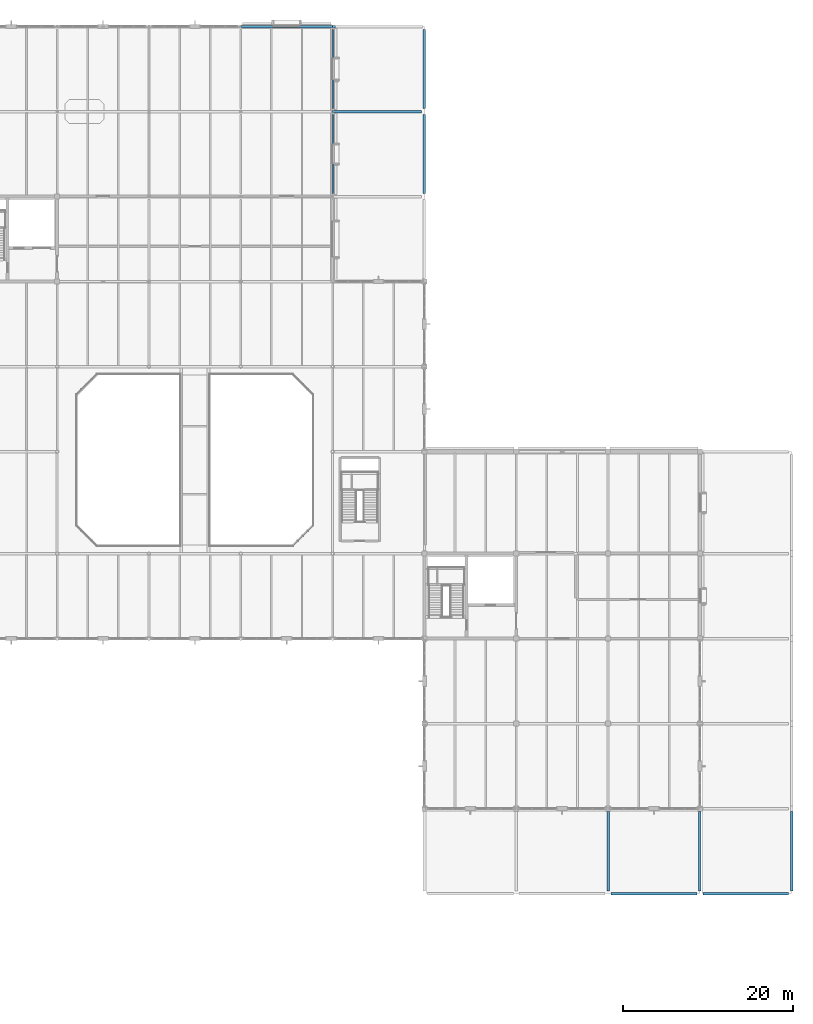
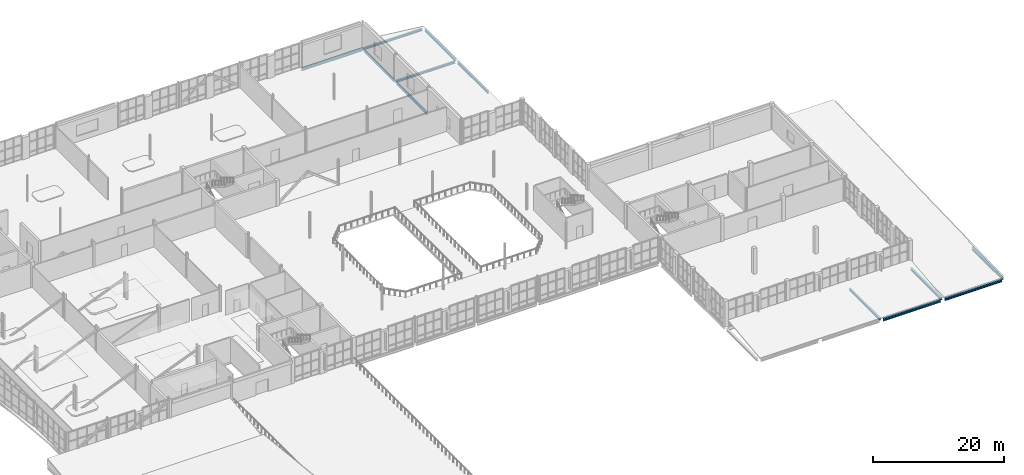
# One storey, part 57 of 100: 12 beams.
"""IFC4 building model written with IfcOpenShell, lengths in metres."""

import ifcopenshell
import ifcopenshell.guid

model = None  # the IFC model being written
_history = None  # IfcOwnerHistory: only IFC2X3 demands one
_inside = {}  # id of a spatial element -> (the spatial element, [elements in it])
_under = {}  # id of a project, library or spatial element -> (it, [spatial elements below it])
_declared = {}  # id of a project -> (the project, [libraries it declares])
_typed = {}  # id of a type object -> (the type object, [elements of that type])
_made_of = {}  # id of a material, layer set ... -> (it, [elements and type objects made of it])


def new_model(schema):
    """Start an empty IFC model of exactly this schema.

    Asked for "IFC4X3", IfcOpenShell would pick the latest addendum, in which some entities
    have other attributes; the version numbers below select the first issue.
    IFC2X3 requires an IfcOwnerHistory on every rooted entity: one is made here for all.
    """
    global model, _history
    if schema == "IFC4X3":
        model = ifcopenshell.file(schema_version=(4, 3, 0, 0))
    else:
        model = ifcopenshell.file(schema=schema)
    _inside.clear()
    _under.clear()
    _declared.clear()
    _typed.clear()
    _made_of.clear()
    _history = None
    if model.schema == "IFC2X3":
        org = make("IfcOrganization", Name="unknown")
        user = make(
            "IfcPersonAndOrganization",
            ThePerson=make("IfcPerson", FamilyName="unknown"),
            TheOrganization=org,
        )
        app = make(
            "IfcApplication",
            ApplicationDeveloper=org,
            Version="unknown",
            ApplicationFullName="unknown",
            ApplicationIdentifier="unknown",
        )
        _history = make(
            "IfcOwnerHistory",
            OwningUser=user,
            OwningApplication=app,
            ChangeAction="ADDED",
            CreationDate=0,
        )
    return model


def make(cls, **values):
    """One entity of the class cls with the attributes given. An attribute that is None is left unset."""
    return model.create_entity(
        cls, **{name: value for name, value in values.items() if value is not None}
    )


def rooted(cls, **values):
    """An entity with a GlobalId (a new one), such as an element, a storey or a relation."""
    return make(cls, GlobalId=ifcopenshell.guid.new(), OwnerHistory=_history, **values)


def si_unit(unit_type, name, prefix=None):
    """IfcSIUnit, for example si_unit("LENGTHUNIT", "METRE", prefix="MILLI")."""
    return make("IfcSIUnit", UnitType=unit_type, Prefix=prefix, Name=name)


def assignment(units):
    """IfcUnitAssignment: the units of a project."""
    return None if units is None else make("IfcUnitAssignment", Units=units)


def point(xyz):
    """IfcCartesianPoint."""
    return None if xyz is None else make("IfcCartesianPoint", Coordinates=xyz)


def direction(xyz):
    """IfcDirection."""
    return None if xyz is None else make("IfcDirection", DirectionRatios=xyz)


def frame(location, z_axis=None, x_axis=None):
    """IfcAxis2Placement3D, a coordinate frame: its origin and axes. An axis left out is left unset."""
    return make(
        "IfcAxis2Placement3D",
        Location=point(location),
        Axis=direction(z_axis),
        RefDirection=direction(x_axis),
    )


def frame_2d(location, x_axis=None):
    """IfcAxis2Placement2D, a coordinate frame in the plane: its origin and x axis."""
    return make(
        "IfcAxis2Placement2D", Location=point(location), RefDirection=direction(x_axis)
    )


def origin():
    """The frame at (0, 0, 0) with its axes left unset."""
    return frame((0.0, 0.0, 0.0))


def origin_2d():
    """The frame at (0, 0) in the plane with its x axis left unset."""
    return frame_2d((0.0, 0.0))


def place(relative_to, where):
    """IfcLocalPlacement: puts the frame where relative to a parent placement (None: the world)."""
    return make(
        "IfcLocalPlacement", PlacementRelTo=relative_to, RelativePlacement=where
    )


def context(
    kind, dimensions, precision=None, world=None, true_north=None, identifier=None
):
    """IfcGeometricRepresentationContext, for example the 3D "Model" context."""
    return make(
        "IfcGeometricRepresentationContext",
        ContextIdentifier=identifier,
        ContextType=kind,
        CoordinateSpaceDimension=dimensions,
        Precision=precision,
        WorldCoordinateSystem=world,
        TrueNorth=true_north,
    )


def subcontext(parent, identifier, kind, view, scale=None):
    """IfcGeometricRepresentationSubContext, for example "Body" below "Model"."""
    return make(
        "IfcGeometricRepresentationSubContext",
        ContextIdentifier=identifier,
        ContextType=kind,
        ParentContext=parent,
        TargetScale=scale,
        TargetView=view,
    )


def project(units=None, contexts=None):
    """IfcProject with its units and contexts."""
    return rooted(
        "IfcProject",
        Name="project",
        RepresentationContexts=contexts,
        UnitsInContext=assignment(units),
    )


def spatial(cls, under=None, at=None, **own):
    """A site, building, storey or space (cls), placed at a placement, below another one or the project."""
    s = rooted(cls, ObjectPlacement=at, **own)
    if under is not None:
        _under.setdefault(under.id(), (under, []))[1].append(s)
    return s


def profile(cls, at=None, kind="AREA", **sizes):
    """A parametric profile (cls). Its sizes go by their IFC names, for example OverallWidth=200.0."""
    return make(cls, ProfileType=kind, Position=at, **sizes)


def i_section(**sizes):
    """IfcIShapeProfileDef."""
    return profile("IfcIShapeProfileDef", **sizes)


def extrude(swept, where, along, depth):
    """IfcExtrudedAreaSolid: the profile swept, set in the frame where, extruded along a direction by depth."""
    return make(
        "IfcExtrudedAreaSolid",
        SweptArea=swept,
        Position=where,
        ExtrudedDirection=direction(along),
        Depth=depth,
    )


def shape(context_of_items, identifier, shape_type, items):
    """IfcShapeRepresentation: the items that make up one representation, for example the "Body"."""
    return make(
        "IfcShapeRepresentation",
        ContextOfItems=context_of_items,
        RepresentationIdentifier=identifier,
        RepresentationType=shape_type,
        Items=items,
    )


def material(Name=None, Category=None):
    """IfcMaterial."""
    return make("IfcMaterial", Name=Name, Category=Category)


def material_profile(
    of_material, cross_section, Name=None, Category=None, Priority=None
):
    """IfcMaterialProfile: a cross section and its material."""
    return make(
        "IfcMaterialProfile",
        Name=Name,
        Material=of_material,
        Profile=cross_section,
        Priority=Priority,
        Category=Category,
    )


def profile_set(profiles, Name=None, composite=None):
    """IfcMaterialProfileSet."""
    return make(
        "IfcMaterialProfileSet",
        Name=Name,
        MaterialProfiles=profiles,
        CompositeProfile=composite,
    )


def made_of(thing, what):
    """Note that an element or type object is made of a material, layer set ...; save() writes the relation."""
    if what is not None:
        _made_of.setdefault(what.id(), (what, []))[1].append(thing)
    return thing


def type_object(cls, material=None, **own):
    """A type object (cls), such as IfcWallType, which elements share."""
    return made_of(rooted(cls, **own), material)


def element(
    cls,
    number,
    at=None,
    inside=None,
    cuts=None,
    type_object=None,
    material=None,
    context=None,
    identifier="Body",
    shape_type=None,
    held_by="IfcProductDefinitionShape",
    body=None,
    shapes=None,
    **own,
):
    """One element of the class cls, such as IfcWall. Its Tag is "e" and its number.

    at: its placement. inside: the storey or other place that contains it. cuts: it is an
    opening in that element (IfcRelVoidsElement). A single representation is given by context,
    identifier, shape_type and body (its items); several are given by shapes. held_by: the class
    of the entity that holds the representations. save() writes the other relations.
    """
    e = rooted(cls, Tag="e%d" % number, ObjectPlacement=at, **own)
    if body is not None:
        shapes = [shape(context, identifier, shape_type, body)]
    if shapes is not None:
        e.Representation = make(held_by, Representations=shapes)
    if inside is not None:
        _inside.setdefault(inside.id(), (inside, []))[1].append(e)
    if cuts is not None:
        rooted(
            "IfcRelVoidsElement", RelatingBuildingElement=cuts, RelatedOpeningElement=e
        )
    if type_object is not None:
        _typed.setdefault(type_object.id(), (type_object, []))[1].append(e)
    return made_of(e, material)


def aggregate(whole, parts):
    """IfcRelAggregates: a whole, such as a stair, and the parts it consists of."""
    return rooted("IfcRelAggregates", RelatingObject=whole, RelatedObjects=parts)


def save(model, path):
    """Write the relations noted so far, then the file.

    IfcRelAggregates (storeys below a building ...), IfcRelContainedInSpatialStructure (elements
    in a storey), IfcRelDefinesByType, IfcRelAssociatesMaterial and IfcRelDeclares: one each for
    every whole, place, type object, material and project.
    """
    for whole, parts in _under.values():
        aggregate(whole, parts)
    for where, things in _inside.values():
        rooted(
            "IfcRelContainedInSpatialStructure",
            RelatedElements=things,
            RelatingStructure=where,
        )
    for kind, things in _typed.values():
        rooted("IfcRelDefinesByType", RelatedObjects=things, RelatingType=kind)
    for what, things in _made_of.values():
        rooted("IfcRelAssociatesMaterial", RelatedObjects=things, RelatingMaterial=what)
    for by, libraries in _declared.values():
        rooted("IfcRelDeclares", RelatingContext=by, RelatedDefinitions=libraries)
    model.write(path)


model = new_model("IFC4")

# Units and contexts
model_context = context("Model", 3, precision=1e-05, world=origin(), true_north=direction((0.0, 1.0)))
body_context = subcontext(model_context, "Body", "Model", "MODEL_VIEW")
ifc_project = project(units=[si_unit("LENGTHUNIT", "METRE"), si_unit("AREAUNIT", "SQUARE_METRE"), si_unit("VOLUMEUNIT", "CUBIC_METRE"), si_unit("PLANEANGLEUNIT", "RADIAN"), si_unit("MASSUNIT", "GRAM", prefix="KILO")], contexts=[model_context])

# Site, building, storey
site_placement = place(None, origin())
site = spatial("IfcSite", under=ifc_project, at=site_placement, CompositionType="ELEMENT")
building_placement = place(site_placement, origin())
building = spatial("IfcBuilding", under=site, at=building_placement, Name="Tasgan Crest Museum", CompositionType="ELEMENT")
storey_placement = place(building_placement, frame((0.0, 0.0, 9.60009765625)))
storey = spatial("IfcBuildingStorey", under=building, at=storey_placement, Name="L02", CompositionType="ELEMENT", Elevation=9.60009765625)

# Beams
ifc_material_1 = material(Name="Steel S355J2", Category="steel")
ifc_material_profile_1 = material_profile(ifc_material_1, i_section(OverallWidth=0.300048828125, OverallDepth=0.389892578125, WebThickness=0.010986328125, FlangeThickness=0.01904296875, FilletRadius=0.027099609375, at=origin_2d()), Name="HEA 400")
ifc_profile_set_1 = profile_set([ifc_material_profile_1], Name="Steel S355J2")
beam_type_1 = type_object("IfcBeamType", Name="BM-G-HEA400", PredefinedType="BEAM", material=ifc_profile_set_1)
beam_1_placement = place(storey_placement, frame((140.74609375, 10.0, -0.47509765625), z_axis=(1.0, 0.0, 0.0), x_axis=(0.0, 1.0, 0.0)))
element("IfcBeam", 1, at=beam_1_placement, inside=storey, type_object=beam_type_1, Name="East lab lower step roof girder B 140.4", PredefinedType="BEAM", context=body_context, shape_type="SweptSolid", body=[
    extrude(i_section(OverallWidth=0.300048828125, OverallDepth=0.389892578125, WebThickness=0.010986328125, FlangeThickness=0.01904296875, FilletRadius=0.027099609375, at=origin_2d()), origin(), (0.0, 0.0, 1.0), 10.10791015625),
])
for number, where, z_axis, x_axis, name in (
    (2, (140.39990234375, 10.344970703125, -0.47509765625), (0.0, 1.0, 0.0), (-1.0, 0.0, 0.0), "East lab lower step roof beam 14 10.0"),
    (3, (151.199951171875, 10.344970703125, -0.47509765625), (0.0, 1.0, 0.0), (-1.0, 0.0, 0.0), "East lab lower step roof beam 15 10.0"),
):
    element("IfcBeam", number, at=place(storey_placement, frame(where, z_axis=z_axis, x_axis=x_axis)), inside=storey, type_object=beam_type_1, Name=name, PredefinedType="BEAM", context=body_context, shape_type="SweptSolid", body=[
        extrude(i_section(OverallWidth=0.300048828125, OverallDepth=0.389892578125, WebThickness=0.010986328125, FlangeThickness=0.01904296875, FilletRadius=0.027099609375, at=origin_2d()), origin(), (0.0, 0.0, 1.0), 9.31005859375),
    ])
beam_2_placement = place(storey_placement, frame((129.946044921875, 10.0, -0.47509765625), z_axis=(1.0, 0.0, 0.0), x_axis=(0.0, 1.0, 0.0)))
element("IfcBeam", 4, at=beam_2_placement, inside=storey, type_object=beam_type_1, Name="East lab south step roof girder B 129.6", PredefinedType="BEAM", context=body_context, shape_type="SweptSolid", body=[
    extrude(i_section(OverallWidth=0.300048828125, OverallDepth=0.389892578125, WebThickness=0.010986328125, FlangeThickness=0.01904296875, FilletRadius=0.027099609375, at=origin_2d()), origin(), (0.0, 0.0, 1.0), 10.10791015625),
])
beam_3_placement = place(storey_placement, frame((129.60009765625, 10.344970703125, -0.47509765625), z_axis=(0.0, 1.0, 0.0), x_axis=(-1.0, 0.0, 0.0)))
element("IfcBeam", 5, at=beam_3_placement, inside=storey, type_object=beam_type_1, Name="East lab south step roof beam 13 10.0", PredefinedType="BEAM", context=body_context, shape_type="SweptSolid", body=[
    extrude(i_section(OverallWidth=0.300048828125, OverallDepth=0.389892578125, WebThickness=0.010986328125, FlangeThickness=0.01904296875, FilletRadius=0.027099609375, at=origin_2d()), origin(), (0.0, 0.0, 1.0), 9.31005859375),
])
for number, where, z_axis, x_axis, name in (
    (6, (97.205322265625, 102.0, -0.47509765625), (1.0, 0.0, 0.0), (0.0, 1.0, 0.0), "North-east lower gallery sloped roof girder L 97.2"),
    (7, (97.205322265625, 112.0, -0.47509765625), (1.0, 0.0, 0.0), (0.0, 1.0, 0.0), "North-east lower gallery sloped roof girder M 97.2"),
):
    element("IfcBeam", number, at=place(storey_placement, frame(where, z_axis=z_axis, x_axis=x_axis)), inside=storey, type_object=beam_type_1, Name=name, PredefinedType="BEAM", context=body_context, shape_type="SweptSolid", body=[
        extrude(i_section(OverallWidth=0.300048828125, OverallDepth=0.389892578125, WebThickness=0.010986328125, FlangeThickness=0.01904296875, FilletRadius=0.027099609375, at=origin_2d()), origin(), (0.0, 0.0, 1.0), 10.44873046875),
    ])
for number, where, z_axis, x_axis, name in (
    (8, (108.0, 92.344970703125, -0.47509765625), (0.0, 1.0, 0.0), (-1.0, 0.0, 0.0), "North-east lower gallery sloped roof beam 11 92.0"),
    (9, (108.0, 102.344970703125, -0.47509765625), (0.0, 1.0, 0.0), (-1.0, 0.0, 0.0), "North-east lower gallery sloped roof beam 11 102.0"),
):
    element("IfcBeam", number, at=place(storey_placement, frame(where, z_axis=z_axis, x_axis=x_axis)), inside=storey, type_object=beam_type_1, Name=name, PredefinedType="BEAM", context=body_context, shape_type="SweptSolid", body=[
        extrude(i_section(OverallWidth=0.300048828125, OverallDepth=0.389892578125, WebThickness=0.010986328125, FlangeThickness=0.01904296875, FilletRadius=0.027099609375, at=origin_2d()), origin(), (0.0, 0.0, 1.0), 9.31005859375),
    ])
ifc_material_2 = material(Name="Steel S355J2", Category="steel")
ifc_material_profile_2 = material_profile(ifc_material_2, i_section(OverallWidth=0.300048828125, OverallDepth=0.489990234375, WebThickness=0.011962890625, FlangeThickness=0.02294921875, FilletRadius=0.027099609375, at=origin_2d()), Name="HEA 500")
ifc_profile_set_2 = profile_set([ifc_material_profile_2], Name="Steel S355J2")
beam_type_2 = type_object("IfcBeamType", Name="BM-G-HEA500", PredefinedType="BEAM", material=ifc_profile_set_2)
beam_4_placement = place(storey_placement, frame((86.4052734375, 112.0, -0.485107421875), z_axis=(1.0, 0.0, 0.0), x_axis=(0.0, 1.0, 0.0)))
element("IfcBeam", 10, at=beam_4_placement, inside=storey, type_object=beam_type_2, Name="Girder L02 M 86.4-97.2", PredefinedType="BEAM", context=body_context, shape_type="SweptSolid", body=[
    extrude(i_section(OverallWidth=0.300048828125, OverallDepth=0.489990234375, WebThickness=0.011962890625, FlangeThickness=0.02294921875, FilletRadius=0.027099609375, at=origin_2d()), origin(), (0.0, 0.0, 1.0), 10.78955078125),
])
ifc_material_3 = material(Name="Steel S355J2", Category="steel")
ifc_material_profile_3 = material_profile(ifc_material_3, i_section(OverallWidth=0.199951171875, OverallDepth=0.5, WebThickness=0.01025390625, FlangeThickness=0.01611328125, FilletRadius=0.02099609375, at=origin_2d()), Name="IPE 500")
ifc_profile_set_3 = profile_set([ifc_material_profile_3], Name="Steel S355J2")
beam_type_3 = type_object("IfcBeamType", Name="BM-G-IPE500", PredefinedType="BEAM", material=ifc_profile_set_3)
for number, where, z_axis, x_axis, name in (
    (11, (97.199951171875, 92.340087890625, -0.489990234375), (0.0, 1.0, 0.0), (-1.0, 0.0, 0.0), "Beam L02 10 92.0-102.0"),
    (12, (97.199951171875, 102.340087890625, -0.489990234375), (0.0, 1.0, 0.0), (-1.0, 0.0, 0.0), "Beam L02 10 102.0-112.0"),
):
    element("IfcBeam", number, at=place(storey_placement, frame(where, z_axis=z_axis, x_axis=x_axis)), inside=storey, type_object=beam_type_3, Name=name, PredefinedType="BEAM", context=body_context, shape_type="SweptSolid", body=[
        extrude(i_section(OverallWidth=0.199951171875, OverallDepth=0.5, WebThickness=0.01025390625, FlangeThickness=0.01611328125, FilletRadius=0.02099609375, at=origin_2d()), origin(), (0.0, 0.0, 1.0), 9.31982421875),
    ])

save(model, "model.ifc")
